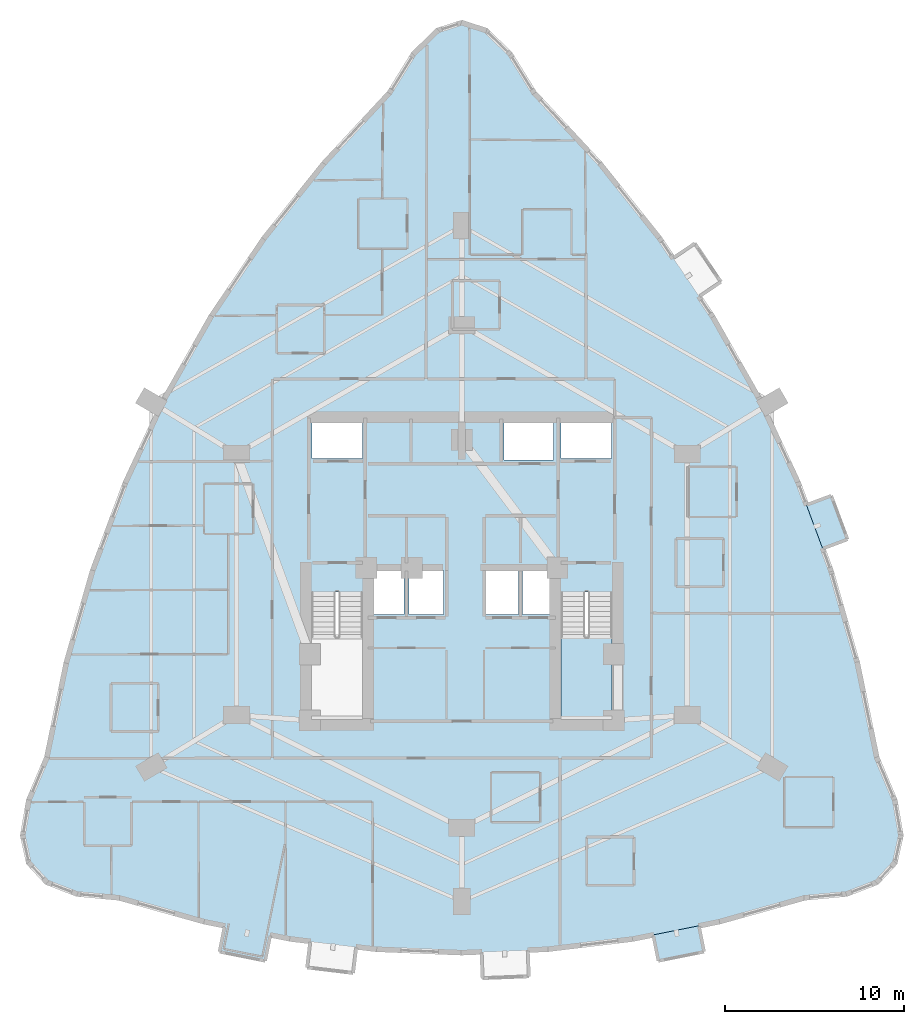
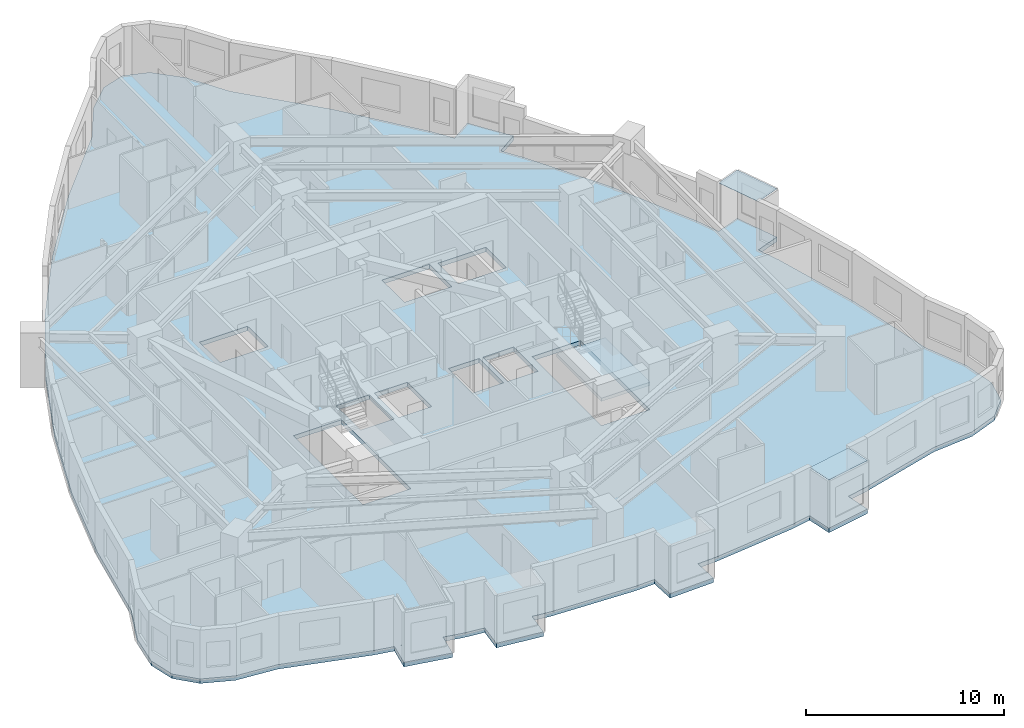
# One storey, part 3 of 12: 2 plates, 2 slabs, 1 element without a shape of its own.
"""IFC4 building model written with IfcOpenShell, lengths in metres."""

from ifc_helpers import new_model, si_unit, direction, frame, origin, place, context, subcontext, project, spatial, polyline, outline, extrude, material, layer, layer_set, type_object, element, aggregate, save


model = new_model("IFC4")

# Units and contexts
model_context = context("Model", 3, precision=1e-05, world=origin(), true_north=direction((0.0, 1.0)))
body_context = subcontext(model_context, "Body", "Model", "MODEL_VIEW")
ifc_project = project(units=[si_unit("LENGTHUNIT", "METRE"), si_unit("AREAUNIT", "SQUARE_METRE"), si_unit("VOLUMEUNIT", "CUBIC_METRE"), si_unit("PLANEANGLEUNIT", "RADIAN"), si_unit("MASSUNIT", "GRAM", prefix="KILO")], contexts=[model_context])

# Site, building, storey
site_placement = place(None, origin())
site = spatial("IfcSite", under=ifc_project, at=site_placement, CompositionType="ELEMENT")
building_placement = place(site_placement, origin())
building = spatial("IfcBuilding", under=site, at=building_placement, Name="Miruveldt Soraemaru", CompositionType="ELEMENT")
storey_placement = place(building_placement, frame((0.0, 0.0, 56.39990234375)))
storey = spatial("IfcBuildingStorey", under=building, at=storey_placement, Name="L15", CompositionType="ELEMENT", Elevation=56.39990234375)

# Plates
ifc_material_1 = material(Name="Standing-seam titanium-zinc sheet", Category="aluminium")
ifc_layer_1 = layer(ifc_material_1, 0.011962890625, Name="Standing-seam titanium-zinc sheet", Category="aluminium")
ifc_layer_set_1 = layer_set([ifc_layer_1], Name="Standing-seam titanium-zinc sheet")
plate_type = type_object("IfcPlateType", Name="PLT-ZINC-12", PredefinedType="SHEET", material=ifc_layer_set_1)
plate_1_placement = place(storey_placement, frame((0.0, 0.0, 2.97509765625)))
element("IfcPlate", 1, at=plate_1_placement, inside=storey, type_object=plate_type, Name="L15 Bay Window Zinc Hood Sheet 3", PredefinedType="SHEET", context=body_context, shape_type="SweptSolid", body=[
    extrude(outline(polyline([(54.703125, 23.511474609375), (57.252685546875, 24.021240234375), (57.54296875, 22.570068359375), (54.993408203125, 22.060302734375), (54.703125, 23.511474609375)])), origin(), (0.0, 0.0, 1.0), 0.011962890625),
])
plate_2_placement = place(storey_placement, frame((0.0, 0.0, 2.97509765625)))
element("IfcPlate", 2, at=plate_2_placement, inside=storey, type_object=plate_type, Name="L15 Bay Window Zinc Hood Sheet 4", PredefinedType="SHEET", context=body_context, shape_type="SweptSolid", body=[
    extrude(outline(polyline([(64.175537109375, 45.111083984375), (63.26806640625, 47.547607421875), (64.655029296875, 48.064208984375), (65.5625, 45.627685546875), (64.175537109375, 45.111083984375)])), origin(), (0.0, 0.0, 1.0), 0.011962890625),
])

# Stair, slab
ifc_material_2 = material(Name="Concrete C40/50 (40 MPa)", Category="concrete")
stair_type = type_object("IfcStairType", Name="STAIR-DL-340", PredefinedType="HALF_TURN_STAIR", material=ifc_material_2)
stair_placement = place(storey_placement, origin())
stair = element("IfcStair", 3, at=stair_placement, inside=storey, type_object=stair_type, Name="L15 Protected Exit Stair ST-2", PredefinedType="HALF_TURN_STAIR")
ifc_layer_2 = layer(ifc_material_2, 0.199951171875, Name="Concrete C40/50 (40 MPa)", Category="concrete")
ifc_layer_set_2 = layer_set([ifc_layer_2], Name="Concrete C40/50 (40 MPa)")
slab_type_1 = type_object("IfcSlabType", Name="SLAB-LAND-200", PredefinedType="LANDING", material=ifc_layer_set_2)
slab_1_placement = place(storey_placement, frame((0.0, 0.0, 1.5)))
slab_1 = element("IfcSlab", 4, at=slab_1_placement, type_object=slab_type_1, Name="ST-2 landing 1", PredefinedType="LANDING", context=body_context, shape_type="SweptSolid", body=[
    extrude(outline(polyline([(49.550048828125, 40.197998046875), (49.550048828125, 35.64990234375), (52.39990234375, 35.64990234375), (52.39990234375, 40.197998046875), (49.550048828125, 40.197998046875)])), origin(), (0.0, 0.0, 1.0), 0.2001953125),
])
aggregate(stair, [slab_1])

# Slab
ifc_layer_3 = layer(ifc_material_2, 0.27490234375, Name="Concrete C40/50 (40 MPa)", Category="concrete")
ifc_layer_set_3 = layer_set([ifc_layer_3], Name="Concrete C40/50 (40 MPa)")
slab_type_2 = type_object("IfcSlabType", Name="SLAB-RES1-275", PredefinedType="FLOOR", material=ifc_layer_set_3)
slab_2_placement = place(storey_placement, frame((0.0, 0.0, -0.27490234375)))
element("IfcSlab", 5, at=slab_2_placement, inside=storey, type_object=slab_type_2, Name="L15 Structural Floor Slab", PredefinedType="FLOOR", context=body_context, shape_type="SweptSolid", body=[
    extrude(outline(polyline([(45.15576171875, 21.085693359375), (45.0966796875, 22.564697265625), (44.0, 22.520751953125), (39.208740234375, 22.71240234375), (38.10400390625, 22.844970703125), (37.927734375, 21.37548828125), (35.34619140625, 21.685302734375), (35.5224609375, 23.15478515625), (36.813232421875, 22.999755859375), (34.417724609375, 23.287353515625), (33.296875, 23.511474609375), (33.006591796875, 22.060302734375), (30.45703125, 22.570068359375), (30.747314453125, 24.021240234375), (32.022216796875, 23.766357421875), (29.62646484375, 24.24560546875), (24.83544921875, 25.5869140625), (22.480712890625, 25.8046875), (20.798583984375, 26.45703125), (19.78955078125, 27.544677734375), (19.453125, 29.0673828125), (19.78955078125, 31.02490234375), (20.798583984375, 33.417724609375), (21.89306640625, 38.735595703125), (23.359130859375, 43.862060546875), (25.197021484375, 48.796630859375), (27.40673828125, 53.53955078125), (29.98828125, 58.091064453125), (32.94140625, 62.45068359375), (36.2666015625, 66.618896484375), (39.96337890625, 70.59521484375), (41.308837890625, 72.7705078125), (42.654296875, 74.075439453125), (44.0, 74.510498046875), (45.345703125, 74.075439453125), (46.691162109375, 72.7705078125), (48.03662109375, 70.59521484375), (51.7333984375, 66.618896484375), (55.05859375, 62.45068359375), (55.805908203125, 61.34716796875), (57.03125, 62.17724609375), (58.489501953125, 60.0244140625), (57.26416015625, 59.194580078125), (58.01171875, 58.091064453125), (60.59326171875, 53.53955078125), (62.802978515625, 48.796630859375), (63.26806640625, 47.547607421875), (64.655029296875, 48.064208984375), (65.5625, 45.627685546875), (64.175537109375, 45.111083984375), (63.721923828125, 46.329345703125), (64.640869140625, 43.862060546875), (66.10693359375, 38.735595703125), (67.201416015625, 33.417724609375), (68.21044921875, 31.02490234375), (68.546875, 29.0673828125), (68.21044921875, 27.544677734375), (67.201416015625, 26.45703125), (65.519287109375, 25.8046875), (63.16455078125, 25.5869140625), (58.37353515625, 24.24560546875), (55.977783203125, 23.766357421875), (57.252685546875, 24.021240234375), (57.54296875, 22.570068359375), (54.993408203125, 22.060302734375), (54.703125, 23.511474609375), (53.582275390625, 23.287353515625), (48.791259765625, 22.71240234375), (46.3955078125, 22.61669921875), (47.694580078125, 22.66845703125), (47.75390625, 21.189697265625), (45.15576171875, 21.085693359375)]), holes=[polyline([(35.614990234375, 35.6650390625), (38.43505859375, 35.6650390625), (38.43505859375, 42.68505859375), (35.614990234375, 42.68505859375), (35.614990234375, 35.6650390625)]), polyline([(49.56494140625, 35.6650390625), (52.385009765625, 35.6650390625), (52.385009765625, 42.68505859375), (49.56494140625, 42.68505859375), (49.56494140625, 35.6650390625)]), polyline([(40.764892578125, 41.4150390625), (40.764892578125, 43.885009765625), (38.81494140625, 43.885009765625), (38.81494140625, 41.4150390625), (40.764892578125, 41.4150390625)]), polyline([(42.965087890625, 41.4150390625), (42.965087890625, 43.885009765625), (41.034912109375, 43.885009765625), (41.034912109375, 41.4150390625), (42.965087890625, 41.4150390625)]), polyline([(47.1650390625, 41.4150390625), (47.1650390625, 43.885009765625), (45.364990234375, 43.885009765625), (45.364990234375, 41.4150390625), (47.1650390625, 41.4150390625)]), polyline([(49.18505859375, 41.4150390625), (49.18505859375, 43.885009765625), (47.39501953125, 43.885009765625), (47.39501953125, 41.4150390625), (49.18505859375, 41.4150390625)]), polyline([(38.445068359375, 50.135009765625), (38.445068359375, 52.205078125), (35.635009765625, 52.205078125), (35.635009765625, 50.135009765625), (38.445068359375, 50.135009765625)]), polyline([(49.554931640625, 50.135009765625), (52.364990234375, 50.135009765625), (52.364990234375, 52.205078125), (49.554931640625, 52.205078125), (49.554931640625, 50.135009765625)]), polyline([(46.364990234375, 50.06494140625), (49.135009765625, 50.06494140625), (49.135009765625, 52.3349609375), (46.364990234375, 52.3349609375), (46.364990234375, 50.06494140625)])]), origin(), (0.0, 0.0, 1.0), 0.27490234375),
])

save(model, "model.ifc")
